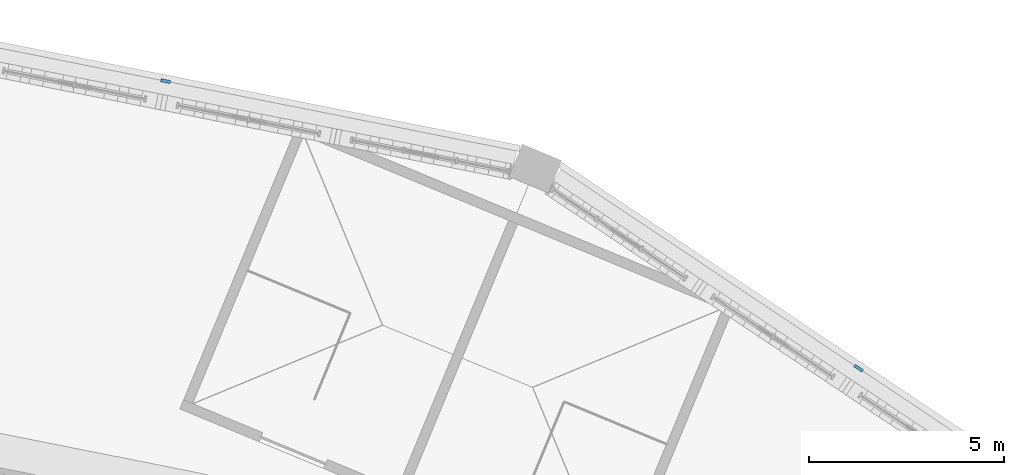
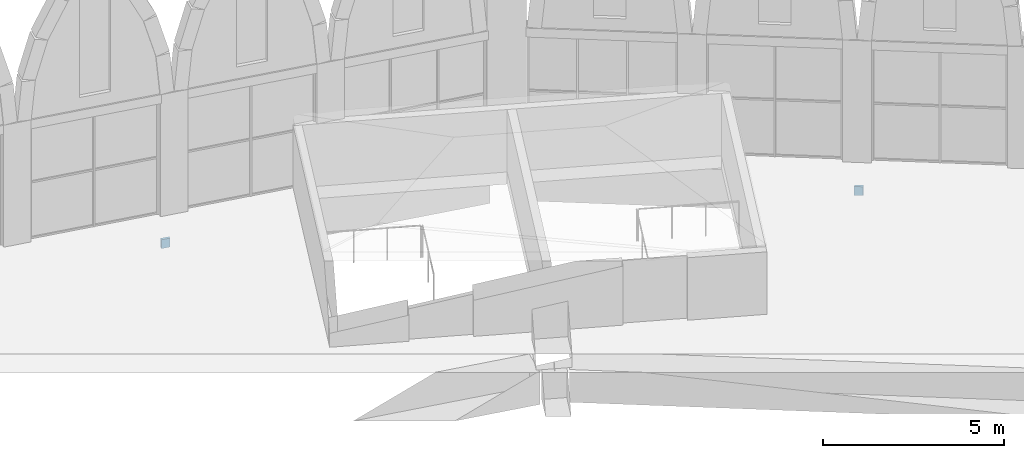
# One storey, part 102 of 130: 2 discrete accessories.
"""IFC4 building model written with IfcOpenShell, lengths in metres."""

from ifc_helpers import new_model, si_unit, direction, frame, origin, origin_2d, place, context, subcontext, project, spatial, rectangle, extrude, material, layer, layer_set, type_object, element, save


model = new_model("IFC4")

# Units and contexts
model_context = context("Model", 3, precision=1e-05, world=origin(), true_north=direction((0.0, 1.0)))
body_context = subcontext(model_context, "Body", "Model", "MODEL_VIEW")
ifc_project = project(units=[si_unit("LENGTHUNIT", "METRE"), si_unit("AREAUNIT", "SQUARE_METRE"), si_unit("VOLUMEUNIT", "CUBIC_METRE"), si_unit("PLANEANGLEUNIT", "RADIAN"), si_unit("MASSUNIT", "GRAM", prefix="KILO")], contexts=[model_context])

# Site, building, storey
site_placement = place(None, origin())
site = spatial("IfcSite", under=ifc_project, at=site_placement, CompositionType="ELEMENT")
building_placement = place(site_placement, origin())
building = spatial("IfcBuilding", under=site, at=building_placement, Name="Ogive Plaza Stadium", CompositionType="ELEMENT")
storey_placement = place(building_placement, frame((0.0, 0.0, 22.5)))
storey = spatial("IfcBuildingStorey", under=building, at=storey_placement, Name="L05", CompositionType="ELEMENT", Elevation=22.5)

# Discrete accessories
ifc_material = material(Name="Steel ASTM A572 Grade 50", Category="steel")
ifc_layer = layer(ifc_material, 0.080078125)
ifc_layer_set = layer_set([ifc_layer], Name="Steel ASTM A572 Grade 50")
discrete_accessory_type = type_object("IfcDiscreteAccessoryType", Name="Spandrel cladding bracket 250x300", PredefinedType="BRACKET", material=ifc_layer_set)
for number, where, z_axis, x_axis, name in (
    (1, (43.635498046875, 100.940185546875, -1.60986328125), (0.0, 0.0, 1.0), (0.980785280413, -0.195090321965, 0.0), "SPANDREL BRACKET B37 L05"),
    (2, (61.439208984375, 93.565673828125, -1.60986328125), (0.0, 0.0, 1.0), (0.831469612312, -0.555570233005, 0.0), "SPANDREL BRACKET B38 L05"),
):
    element("IfcDiscreteAccessory", number, at=place(storey_placement, frame(where, z_axis=z_axis, x_axis=x_axis)), inside=storey, type_object=discrete_accessory_type, Name=name, PredefinedType="BRACKET", context=body_context, shape_type="SweptSolid", body=[
        extrude(rectangle(XDim=0.25, YDim=0.080078125, at=origin_2d()), origin(), (0.0, 0.0, 1.0), 0.300048828125),
    ])

save(model, "model.ifc")
